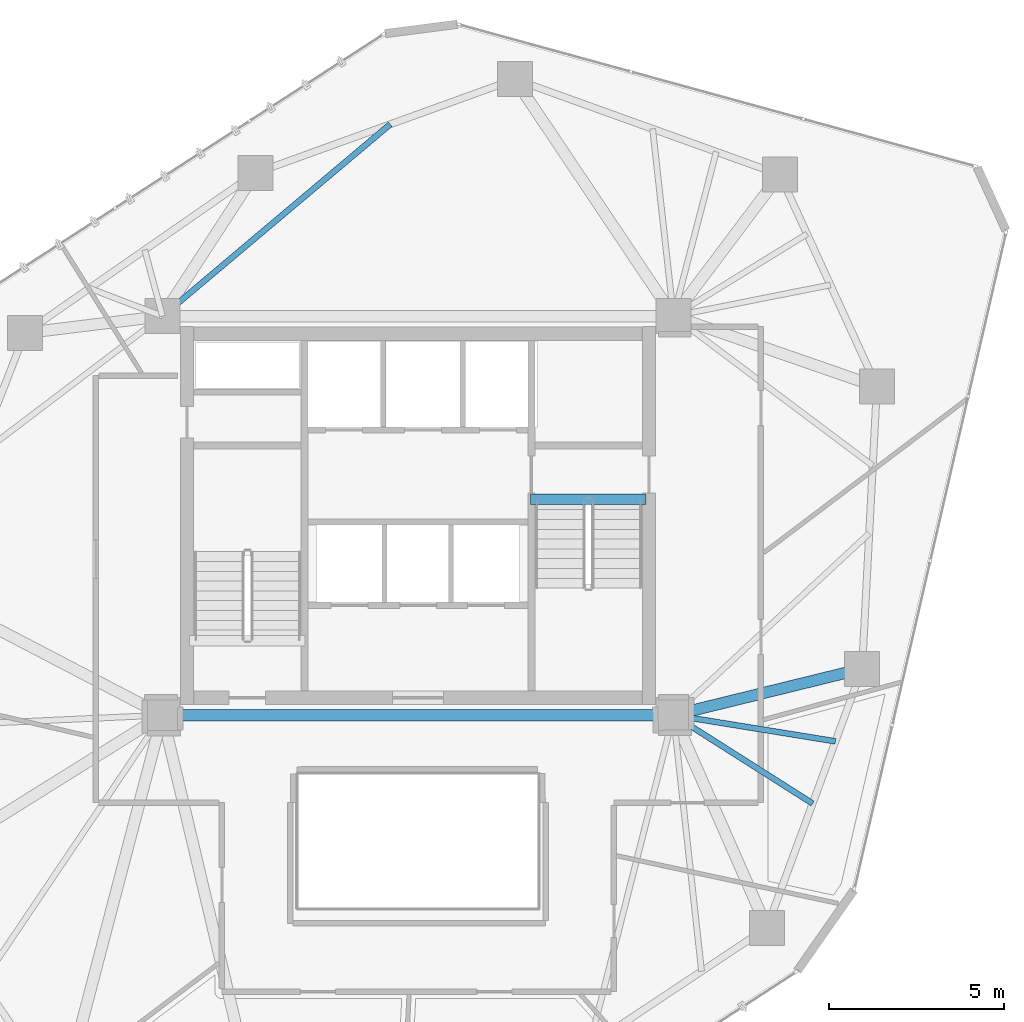
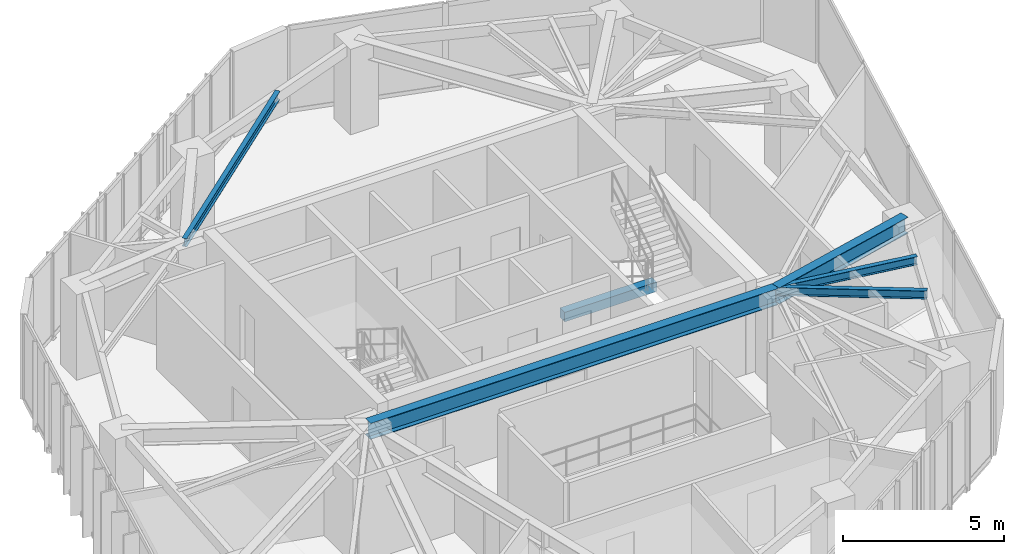
# One storey, part 8 of 18: 6 beams.
"""IFC4 building model written with IfcOpenShell, lengths in metres."""

from ifc_helpers import new_model, si_unit, direction, frame, origin, origin_2d, place, context, subcontext, project, spatial, rectangle, i_section, extrude, material, material_profile, profile_set, type_object, element, save


model = new_model("IFC4")

# Units and contexts
model_context = context("Model", 3, precision=1e-05, world=origin(), true_north=direction((0.0, 1.0)))
body_context = subcontext(model_context, "Body", "Model", "MODEL_VIEW")
ifc_project = project(units=[si_unit("LENGTHUNIT", "METRE"), si_unit("AREAUNIT", "SQUARE_METRE"), si_unit("VOLUMEUNIT", "CUBIC_METRE"), si_unit("PLANEANGLEUNIT", "RADIAN"), si_unit("MASSUNIT", "GRAM", prefix="KILO")], contexts=[model_context])

# Site, building, storey
site_placement = place(None, origin())
site = spatial("IfcSite", under=ifc_project, at=site_placement, CompositionType="ELEMENT")
building_placement = place(site_placement, origin())
building = spatial("IfcBuilding", under=site, at=building_placement, Name="Talar Marvaseh", CompositionType="ELEMENT")
storey_placement = place(building_placement, frame((0.0, 0.0, 188.0)))
storey = spatial("IfcBuildingStorey", under=building, at=storey_placement, Name="L49", CompositionType="ELEMENT", Elevation=188.0)

# Beams
ifc_material_1 = material(Name="Concrete C40/50", Category="concrete")
ifc_material_profile_1 = material_profile(ifc_material_1, rectangle(XDim=0.300048828125, YDim=0.360107421875, at=origin_2d()), Name="RC300x360")
ifc_profile_set_1 = profile_set([ifc_material_profile_1], Name="Concrete C40/50")
beam_type_1 = type_object("IfcBeamType", Name="Concrete Stair Landing Trimmer Beam RC300x360", PredefinedType="SPANDREL", material=ifc_profile_set_1)
beam_1_placement = place(storey_placement, frame((29.219970703125, 31.669921875, -0.179931640625), z_axis=(1.0, 0.0, 0.0), x_axis=(0.0, 1.0, 0.0)))
element("IfcBeam", 1, at=beam_1_placement, inside=storey, type_object=beam_type_1, Name="L49 ST-2 Stair Nosing Trimmer Beam", PredefinedType="SPANDREL", context=body_context, shape_type="SweptSolid", body=[
    extrude(rectangle(XDim=0.300048828125, YDim=0.360107421875, at=origin_2d()), origin(), (0.0, 0.0, 1.0), 3.300048828125),
])
ifc_material_2 = material(Name="Steel S355", Category="steel")
ifc_material_profile_2 = material_profile(ifc_material_2, i_section(OverallWidth=0.324951171875, OverallDepth=0.615966796875, WebThickness=0.013916015625, FlangeThickness=0.021484375, at=origin_2d()), Name="W610x174")
ifc_profile_set_2 = profile_set([ifc_material_profile_2], Name="Steel S355")
beam_type_2 = type_object("IfcBeamType", Name="Zone 3 Radial Floor Girder W610x174", PredefinedType="BEAM", material=ifc_profile_set_2)
beam_2_placement = place(storey_placement, frame((18.699951171875, 25.5, 2.922119140625), z_axis=(1.0, 0.0, 0.0), x_axis=(0.0, 1.0, 0.0)))
element("IfcBeam", 2, at=beam_2_placement, inside=storey, type_object=beam_type_2, Name="L49 Zone 3 Radial Floor Girder W610x174", PredefinedType="BEAM", context=body_context, shape_type="SweptSolid", body=[
    extrude(i_section(OverallWidth=0.324951171875, OverallDepth=0.615966796875, WebThickness=0.013916015625, FlangeThickness=0.021484375, at=origin_2d()), origin(), (0.0, 0.0, 1.0), 14.60009765625),
])
beam_3_placement = place(storey_placement, frame((38.68896484375, 26.823974609375, 2.922119140625), z_axis=(-0.971120507527, -0.238589521692, 0.0), x_axis=(0.238589521692, -0.971120507527, 0.0)))
element("IfcBeam", 3, at=beam_3_placement, inside=storey, type_object=beam_type_2, Name="L49 Zone 3 Radial Floor Girder W610x174", PredefinedType="BEAM", context=body_context, shape_type="SweptSolid", body=[
    extrude(i_section(OverallWidth=0.324951171875, OverallDepth=0.615966796875, WebThickness=0.013916015625, FlangeThickness=0.021484375, at=origin_2d()), origin(), (0.0, 0.0, 1.0), 5.549072265625),
])
ifc_material_profile_3 = material_profile(ifc_material_2, i_section(OverallWidth=0.166015625, OverallDepth=0.31298828125, WebThickness=0.006591796875, FlangeThickness=0.01123046875, at=origin_2d()), Name="W310x45")
ifc_profile_set_3 = profile_set([ifc_material_profile_3], Name="Steel S355")
beam_type_3 = type_object("IfcBeamType", Name="Zone 3 Secondary Floor Joist W310x45", PredefinedType="JOIST", material=ifc_profile_set_3)
beam_4_placement = place(storey_placement, frame((37.927978515625, 24.751708984375, 3.073486328125), z_axis=(-0.987178985963, 0.159617197298, 0.0), x_axis=(-0.159617197298, -0.987178985963, 0.0)))
element("IfcBeam", 4, at=beam_4_placement, inside=storey, type_object=beam_type_3, Name="L49 Zone 3 Secondary Floor Joist W310x45", PredefinedType="JOIST", context=body_context, shape_type="SweptSolid", body=[
    extrude(i_section(OverallWidth=0.166015625, OverallDepth=0.31298828125, WebThickness=0.006591796875, FlangeThickness=0.01123046875, at=origin_2d()), origin(), (0.0, 0.0, 1.0), 4.68798828125),
])
beam_5_placement = place(storey_placement, frame((37.275634765625, 22.9755859375, 3.073486328125), z_axis=(-0.844190472961, 0.536043324147, 0.0), x_axis=(-0.536043324147, -0.844190472961, 0.0)))
element("IfcBeam", 5, at=beam_5_placement, inside=storey, type_object=beam_type_3, Name="L49 Zone 3 Secondary Floor Joist W310x45", PredefinedType="JOIST", context=body_context, shape_type="SweptSolid", body=[
    extrude(i_section(OverallWidth=0.166015625, OverallDepth=0.31298828125, WebThickness=0.006591796875, FlangeThickness=0.01123046875, at=origin_2d()), origin(), (0.0, 0.0, 1.0), 4.709228515625),
])
beam_6_placement = place(storey_placement, frame((25.207275390625, 42.380615234375, 3.073486328125), z_axis=(-0.76486133839, -0.644194949558, 0.0), x_axis=(0.644194949558, -0.76486133839, 0.0)))
element("IfcBeam", 6, at=beam_6_placement, inside=storey, type_object=beam_type_3, Name="L49 Zone 3 Secondary Floor Joist W310x45", PredefinedType="JOIST", context=body_context, shape_type="SweptSolid", body=[
    extrude(i_section(OverallWidth=0.166015625, OverallDepth=0.31298828125, WebThickness=0.006591796875, FlangeThickness=0.01123046875, at=origin_2d()), origin(), (0.0, 0.0, 1.0), 8.5078125),
])

save(model, "model.ifc")
